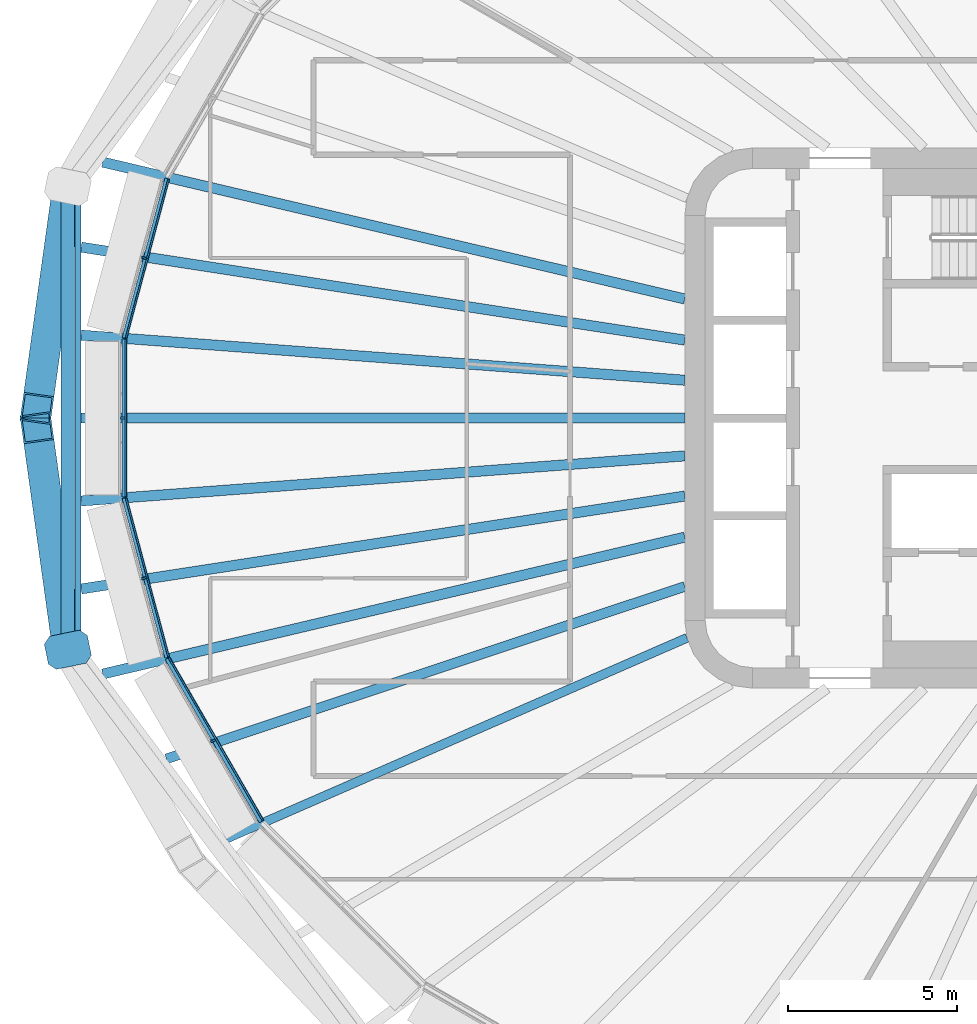
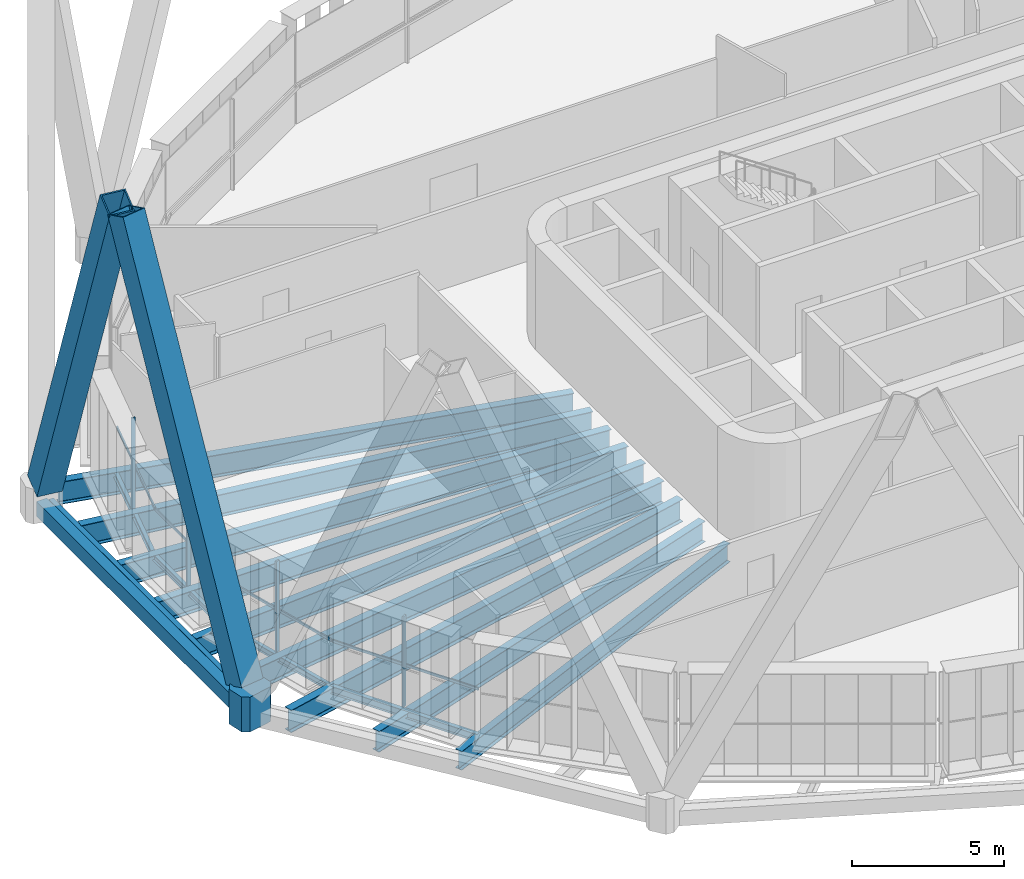
# One storey, part 3 of 26: 15 beams, 11 members, 4 elements without a shape of their own.
"""IFC4 building model written with IfcOpenShell, lengths in metres."""

from ifc_helpers import new_model, si_unit, direction, frame, origin, origin_2d, place, context, subcontext, project, spatial, polyline, rectangle, hollow_rectangle, i_section, outline, extrude, material, layer, layer_set, material_profile, profile_set, type_object, element, aggregate, save


model = new_model("IFC4")

# Units and contexts
model_context = context("Model", 3, precision=1e-05, world=origin(), true_north=direction((0.0, 1.0)))
body_context = subcontext(model_context, "Body", "Model", "MODEL_VIEW")
ifc_project = project(units=[si_unit("LENGTHUNIT", "METRE"), si_unit("AREAUNIT", "SQUARE_METRE"), si_unit("VOLUMEUNIT", "CUBIC_METRE"), si_unit("PLANEANGLEUNIT", "RADIAN"), si_unit("MASSUNIT", "GRAM", prefix="KILO")], contexts=[model_context])

# Site, building, storey
site_placement = place(None, origin())
site = spatial("IfcSite", under=ifc_project, at=site_placement, CompositionType="ELEMENT")
building_placement = place(site_placement, origin())
building = spatial("IfcBuilding", under=site, at=building_placement, Name="Sahrelin Media Tower", CompositionType="ELEMENT")
storey_placement = place(building_placement, frame((0.0, 0.0, 131.39990234375)))
storey = spatial("IfcBuildingStorey", under=building, at=storey_placement, Name="L26", CompositionType="ELEMENT", Elevation=131.39990234375)

# Members
ifc_material_1 = material(Name="Steel S460", Category="steel")
ifc_material_profile_1 = material_profile(ifc_material_1, hollow_rectangle(XDim=0.89990234375, YDim=0.89990234375, WallThickness=0.050048828125, at=origin_2d()), Name="Diagrid diagonal DG3")
ifc_profile_set_1 = profile_set([ifc_material_profile_1], Name="Steel S460")
member_type_1 = type_object("IfcMemberType", Name="Diagrid diagonal DG3", PredefinedType="BRACE", material=ifc_profile_set_1)
for number, where, z_axis, x_axis, name in (
    (1, (-33.314208984375, 6.57666015625, 0.7001953125), (-0.052511992793, -0.377637878396, 0.924463154168), (0.99046999965, -0.137728645506, 0.0), "Diagrid diagonal D05-11"),
    (2, (-33.314208984375, -6.57666015625, 0.7001953125), (-0.052511992793, 0.377637878396, 0.924463154168), (-0.99046999965, -0.137728645506, 0.0), "Diagrid diagonal D05-12"),
):
    element("IfcMember", number, at=place(storey_placement, frame(where, z_axis=z_axis, x_axis=x_axis)), inside=storey, type_object=member_type_1, Name=name, PredefinedType="BRACE", context=body_context, shape_type="SweptSolid", body=[
        extrude(hollow_rectangle(XDim=0.89990234375, YDim=0.89990234375, WallThickness=0.050048828125, at=origin_2d()), origin(), (0.0, 0.0, 1.0), 16.658203125),
    ])
ifc_material_profile_2 = material_profile(ifc_material_1, outline(polyline([(0.449951171875, -0.5), (0.64990234375, -0.300048828125), (0.64990234375, 0.300048828125), (0.449951171875, 0.5), (-0.449951171875, 0.5), (-0.64990234375, 0.300048828125), (-0.64990234375, -0.300048828125), (-0.449951171875, -0.5), (0.449951171875, -0.5)])), Name="Diagrid node block 1300")
ifc_profile_set_2 = profile_set([ifc_material_profile_2], Name="Steel S460")
member_type_2 = type_object("IfcMemberType", Name="Diagrid node block 1300", PredefinedType="USERDEFINED", material=ifc_profile_set_2)
member_1_placement = place(storey_placement, frame((-33.2744140625, -6.862548828125, -0.699951171875), z_axis=(0.0, 0.0, 1.0), x_axis=(-0.979387770926, -0.201989094163, 0.0)))
element("IfcMember", 3, at=member_1_placement, inside=storey, type_object=member_type_2, Name="Diagrid node N05-06", ObjectType="NODE", PredefinedType="USERDEFINED", context=body_context, shape_type="SweptSolid", body=[
    extrude(outline(polyline([(0.449951171875, -0.5), (0.64990234375, -0.300048828125), (0.64990234375, 0.300048828125), (0.449951171875, 0.5), (-0.449951171875, 0.5), (-0.64990234375, 0.300048828125), (-0.64990234375, -0.300048828125), (-0.449951171875, -0.5), (0.449951171875, -0.5)])), origin(), (0.0, 0.0, 1.0), 1.400146484375),
])

# Beams
ifc_material_profile_3 = material_profile(ifc_material_1, hollow_rectangle(XDim=0.39990234375, YDim=0.60009765625, WallThickness=0.030029296875, at=origin_2d()), Name="Diagrid ring beam RB1")
ifc_profile_set_3 = profile_set([ifc_material_profile_3], Name="Steel S460")
beam_type_1 = type_object("IfcBeamType", Name="Diagrid ring beam RB1", PredefinedType="BEAM", material=ifc_profile_set_3)
beam_1_placement = place(storey_placement, frame((-33.2744140625, 6.862548828125, -0.449951171875), z_axis=(0.0, -1.0, 0.0), x_axis=(1.0, 0.0, 0.0)))
element("IfcBeam", 4, at=beam_1_placement, inside=storey, type_object=beam_type_1, Name="Diagrid ring beam RB05-05", PredefinedType="BEAM", context=body_context, shape_type="SweptSolid", body=[
    extrude(hollow_rectangle(XDim=0.39990234375, YDim=0.60009765625, WallThickness=0.030029296875, at=origin_2d()), origin(), (0.0, 0.0, 1.0), 13.72509765625),
])
ifc_material_2 = material(Name="Steel S355", Category="steel")
ifc_material_profile_4 = material_profile(ifc_material_2, i_section(OverallWidth=0.14599609375, OverallDepth=0.25146484375, WebThickness=0.006103515625, FlangeThickness=0.008544921875, FilletRadius=0.007568359375, at=origin_2d()), Name="UB 254x146x31")
ifc_profile_set_4 = profile_set([ifc_material_profile_4], Name="Steel S355")
beam_type_2 = type_object("IfcBeamType", Name="Edge beam EB1", PredefinedType="BEAM", material=ifc_profile_set_4)
beam_2_placement = place(storey_placement, frame((-30.3291015625, -7.09228515625, -0.275634765625), z_axis=(-0.258820885575, 0.965925333134, 0.0), x_axis=(-0.965925333134, -0.258820885575, 0.0)))
element("IfcBeam", 5, at=beam_2_placement, inside=storey, type_object=beam_type_2, Name="Edge beam L26-12", PredefinedType="BEAM", context=body_context, shape_type="SweptSolid", body=[
    extrude(i_section(OverallWidth=0.14599609375, OverallDepth=0.25146484375, WebThickness=0.006103515625, FlangeThickness=0.008544921875, FilletRadius=0.007568359375, at=origin_2d()), origin(), (0.0, 0.0, 1.0), 4.892822265625),
])
beam_3_placement = place(storey_placement, frame((-31.599365234375, -2.337646484375, -0.275634765625), z_axis=(0.0, 1.0, 0.0), x_axis=(-1.0, 0.0, 0.0)))
element("IfcBeam", 6, at=beam_3_placement, inside=storey, type_object=beam_type_2, Name="Edge beam L26-13", PredefinedType="BEAM", context=body_context, shape_type="SweptSolid", body=[
    extrude(i_section(OverallWidth=0.14599609375, OverallDepth=0.25146484375, WebThickness=0.006103515625, FlangeThickness=0.008544921875, FilletRadius=0.007568359375, at=origin_2d()), origin(), (0.0, 0.0, 1.0), 4.67529296875),
])
beam_4_placement = place(storey_placement, frame((-31.595458984375, 2.3662109375, -0.275634765625), z_axis=(0.258820885575, 0.965925333134, 0.0), x_axis=(-0.965925333134, 0.258820885575, 0.0)))
element("IfcBeam", 7, at=beam_4_placement, inside=storey, type_object=beam_type_2, Name="Edge beam L26-14", PredefinedType="BEAM", context=body_context, shape_type="SweptSolid", body=[
    extrude(i_section(OverallWidth=0.14599609375, OverallDepth=0.25146484375, WebThickness=0.006103515625, FlangeThickness=0.008544921875, FilletRadius=0.007568359375, at=origin_2d()), origin(), (0.0, 0.0, 1.0), 4.892822265625),
])
ifc_material_profile_5 = material_profile(ifc_material_2, i_section(OverallWidth=0.1650390625, OverallDepth=0.303466796875, WebThickness=0.006103515625, FlangeThickness=0.01025390625, FilletRadius=0.0087890625, at=origin_2d()), Name="UB 305x165x40")
ifc_profile_set_5 = profile_set([ifc_material_profile_5], Name="Steel S355")
beam_type_3 = type_object("IfcBeamType", Name="Edge beam EB2", PredefinedType="BEAM", material=ifc_profile_set_5)
beam_5_placement = place(storey_placement, frame((-27.52978515625, -11.9482421875, -0.301513671875), z_axis=(-0.500014261081, 0.866017169989, 0.0), x_axis=(-0.866017169989, -0.500014261081, 0.0)))
element("IfcBeam", 8, at=beam_5_placement, inside=storey, type_object=beam_type_3, Name="Edge beam L26-11", PredefinedType="BEAM", context=body_context, shape_type="SweptSolid", body=[
    extrude(i_section(OverallWidth=0.1650390625, OverallDepth=0.303466796875, WebThickness=0.006103515625, FlangeThickness=0.01025390625, FilletRadius=0.0087890625, at=origin_2d()), origin(), (0.0, 0.0, 1.0), 5.576416015625),
])

# Curtain wall, member
ifc_material_3 = material(Name="Champagne anodised aluminium 6063-T6", Category="aluminium")
ifc_layer = layer(ifc_material_3, 0.14990234375)
ifc_layer_set = layer_set([ifc_layer], Name="Tower ribbon curtain wall")
curtain_wall_type = type_object("IfcCurtainWallType", Name="Tower ribbon curtain wall", PredefinedType="NOTDEFINED", material=ifc_layer_set)
curtain_wall_1_placement = place(storey_placement, frame((-31.107421875, 4.76806640625, 0.0), z_axis=(0.0, 0.0, 1.0), x_axis=(1.0, 0.0, 0.0)))
curtain_wall_1 = element("IfcCurtainWall", 9, at=curtain_wall_1_placement, inside=storey, type_object=curtain_wall_type, Name="L26:CW:L26-11", PredefinedType="NOTDEFINED")
ifc_material_profile_6 = material_profile(ifc_material_3, rectangle(XDim=0.06005859375, YDim=0.14990234375, at=origin_2d()), Name="Mullion 60x150")
ifc_profile_set_6 = profile_set([ifc_material_profile_6], Name="Champagne anodised aluminium 6063-T6")
member_type_3 = type_object("IfcMemberType", Name="Mullion 60x150 CW1", PredefinedType="MULLION", material=ifc_profile_set_6)
member_2_placement = place(storey_placement, frame((-31.015380859375, 4.743408203125, 0.0), z_axis=(0.0, 0.0, 1.0), x_axis=(-0.258820730961, -0.965925374563, 0.0)))
member_2 = element("IfcMember", 10, at=member_2_placement, type_object=member_type_3, Name="L26:CWM:L26-11", PredefinedType="MULLION", context=body_context, shape_type="SweptSolid", body=[
    extrude(rectangle(XDim=0.06005859375, YDim=0.14990234375, at=origin_2d()), origin(), (0.0, 0.0, 1.0), 3.648681640625),
])

curtain_wall_2_placement = place(storey_placement, frame((-31.749267578125, 0.0, 0.0), z_axis=(0.0, 0.0, 1.0), x_axis=(1.0, 0.0, 0.0)))
curtain_wall_2 = element("IfcCurtainWall", 11, at=curtain_wall_2_placement, inside=storey, type_object=curtain_wall_type, Name="L26:CW:L26-12", PredefinedType="NOTDEFINED")
member_3_placement = place(storey_placement, frame((-31.654296875, 0.0, 0.0), z_axis=(0.0, 0.0, 1.0), x_axis=(0.0, -1.0, 0.0)))
member_3 = element("IfcMember", 12, at=member_3_placement, type_object=member_type_3, Name="L26:CWM:L26-12", PredefinedType="MULLION", context=body_context, shape_type="SweptSolid", body=[
    extrude(rectangle(XDim=0.06005859375, YDim=0.14990234375, at=origin_2d()), origin(), (0.0, 0.0, 1.0), 3.648681640625),
])

curtain_wall_3_placement = place(storey_placement, frame((-31.107421875, -4.76806640625, 0.0), z_axis=(0.0, 0.0, 1.0), x_axis=(1.0, 0.0, 0.0)))
curtain_wall_3 = element("IfcCurtainWall", 13, at=curtain_wall_3_placement, inside=storey, type_object=curtain_wall_type, Name="L26:CW:L26-13", PredefinedType="NOTDEFINED")
member_4_placement = place(storey_placement, frame((-31.015380859375, -4.743408203125, 0.0), z_axis=(0.0, 0.0, 1.0), x_axis=(0.258820730961, -0.965925374563, 0.0)))
member_4 = element("IfcMember", 14, at=member_4_placement, type_object=member_type_3, Name="L26:CWM:L26-13", PredefinedType="MULLION", context=body_context, shape_type="SweptSolid", body=[
    extrude(rectangle(XDim=0.06005859375, YDim=0.14990234375, at=origin_2d()), origin(), (0.0, 0.0, 1.0), 3.648681640625),
])

curtain_wall_4_placement = place(storey_placement, frame((-29.053955078125, -9.608642578125, 0.0), z_axis=(0.0, 0.0, 1.0), x_axis=(1.0, 0.0, 0.0)))
curtain_wall_4 = element("IfcCurtainWall", 15, at=curtain_wall_4_placement, inside=storey, type_object=curtain_wall_type, Name="L26:CW:L26-14", PredefinedType="NOTDEFINED")
member_5_placement = place(storey_placement, frame((-28.9716796875, -9.56103515625, 0.0), z_axis=(0.0, 0.0, 1.0), x_axis=(0.500006045986, -0.866021913105, 0.0)))
member_5 = element("IfcMember", 16, at=member_5_placement, type_object=member_type_3, Name="L26:CWM:L26-14", PredefinedType="MULLION", context=body_context, shape_type="SweptSolid", body=[
    extrude(rectangle(XDim=0.06005859375, YDim=0.14990234375, at=origin_2d()), origin(), (0.0, 0.0, 1.0), 3.648681640625),
])

# Beams
ifc_material_profile_7 = material_profile(ifc_material_2, i_section(OverallWidth=0.30322265625, OverallDepth=0.903076171875, WebThickness=0.01513671875, FlangeThickness=0.020263671875, FilletRadius=0.01904296875, at=origin_2d()), Name="UB 914x305x201")
ifc_profile_set_7 = profile_set([ifc_material_profile_7], Name="Steel S355")
beam_type_4 = type_object("IfcBeamType", Name="Radial primary beam PB11", PredefinedType="BEAM", material=ifc_profile_set_7)
beam_6_placement = place(storey_placement, frame((-15.0, 3.52734375, -0.601318359375), z_axis=(-0.973444098536, 0.228924850169, 0.0), x_axis=(-0.228924850169, -0.973444098536, 0.0)))
element("IfcBeam", 17, at=beam_6_placement, inside=storey, type_object=beam_type_4, Name="Radial beam L26-11", PredefinedType="BEAM", context=body_context, shape_type="SweptSolid", body=[
    extrude(i_section(OverallWidth=0.30322265625, OverallDepth=0.903076171875, WebThickness=0.01513671875, FlangeThickness=0.020263671875, FilletRadius=0.01904296875, at=origin_2d()), origin(), (0.0, 0.0, 1.0), 17.710693359375),
])
for number, where, z_axis, x_axis, name in (
    (18, (-15.0, 1.12060546875, -0.601318359375), (-0.997221001276, 0.074500165201, 0.0), (-0.074500165201, -0.997221001276, 0.0), "Radial beam L26-12"),
    (19, (-15.0, -1.12060546875, -0.601318359375), (-0.997221001276, -0.074500165201, 0.0), (0.074500165201, -0.997221001276, 0.0), "Radial beam L26-13"),
):
    element("IfcBeam", number, at=place(storey_placement, frame(where, z_axis=z_axis, x_axis=x_axis)), inside=storey, type_object=beam_type_4, Name=name, PredefinedType="BEAM", context=body_context, shape_type="SweptSolid", body=[
        extrude(i_section(OverallWidth=0.30322265625, OverallDepth=0.903076171875, WebThickness=0.01513671875, FlangeThickness=0.020263671875, FilletRadius=0.01904296875, at=origin_2d()), origin(), (0.0, 0.0, 1.0), 17.9287109375),
    ])
beam_7_placement = place(storey_placement, frame((-15.0, -3.52734375, -0.601318359375), z_axis=(-0.973444098536, -0.228924850169, 0.0), x_axis=(0.228924850169, -0.973444098536, 0.0)))
element("IfcBeam", 20, at=beam_7_placement, inside=storey, type_object=beam_type_4, Name="Radial beam L26-14", PredefinedType="BEAM", context=body_context, shape_type="SweptSolid", body=[
    extrude(i_section(OverallWidth=0.30322265625, OverallDepth=0.903076171875, WebThickness=0.01513671875, FlangeThickness=0.020263671875, FilletRadius=0.01904296875, at=origin_2d()), origin(), (0.0, 0.0, 1.0), 17.710693359375),
])
ifc_material_profile_8 = material_profile(ifc_material_2, i_section(OverallWidth=0.26513671875, OverallDepth=0.75390625, WebThickness=0.0126953125, FlangeThickness=0.017578125, FilletRadius=0.0166015625, at=origin_2d()), Name="UB 762x267x147")
ifc_profile_set_8 = profile_set([ifc_material_profile_8], Name="Steel S355")
beam_type_5 = type_object("IfcBeamType", Name="Radial primary beam PB9", PredefinedType="BEAM", material=ifc_profile_set_8)
beam_8_placement = place(storey_placement, frame((-14.932861328125, -6.510986328125, -0.52685546875), z_axis=(-0.916643283171, -0.399706256414, 0.0), x_axis=(0.399706256414, -0.916643283171, 0.0)))
element("IfcBeam", 21, at=beam_8_placement, inside=storey, type_object=beam_type_5, Name="Radial beam L26-15", PredefinedType="BEAM", context=body_context, shape_type="SweptSolid", body=[
    extrude(i_section(OverallWidth=0.26513671875, OverallDepth=0.75390625, WebThickness=0.0126953125, FlangeThickness=0.017578125, FilletRadius=0.0166015625, at=origin_2d()), origin(), (0.0, 0.0, 1.0), 14.88818359375),
])
ifc_material_profile_9 = material_profile(ifc_material_2, i_section(OverallWidth=0.291748046875, OverallDepth=0.8349609375, WebThickness=0.013916015625, FlangeThickness=0.018798828125, FilletRadius=0.017822265625, at=origin_2d()), Name="UB 838x292x176")
ifc_profile_set_9 = profile_set([ifc_material_profile_9], Name="Steel S355")
beam_type_6 = type_object("IfcBeamType", Name="Radial secondary beam SB10", PredefinedType="BEAM", material=ifc_profile_set_9)
beam_9_placement = place(storey_placement, frame((-15.0, -4.98876953125, -0.5673828125), z_axis=(-0.948898825234, -0.315580448491, 0.0), x_axis=(0.315580448491, -0.948898825234, 0.0)))
element("IfcBeam", 22, at=beam_9_placement, inside=storey, type_object=beam_type_6, Name="Secondary beam L26-14", PredefinedType="BEAM", context=body_context, shape_type="SweptSolid", body=[
    extrude(i_section(OverallWidth=0.291748046875, OverallDepth=0.8349609375, WebThickness=0.013916015625, FlangeThickness=0.018798828125, FilletRadius=0.017822265625, at=origin_2d()), origin(), (0.0, 0.0, 1.0), 16.181884765625),
])
ifc_material_profile_10 = material_profile(ifc_material_2, i_section(OverallWidth=0.30322265625, OverallDepth=0.903076171875, WebThickness=0.01513671875, FlangeThickness=0.020263671875, FilletRadius=0.01904296875, at=origin_2d()), Name="UB 914x305x201")
ifc_profile_set_10 = profile_set([ifc_material_profile_10], Name="Steel S355")
beam_type_7 = type_object("IfcBeamType", Name="Radial secondary beam SB11", PredefinedType="BEAM", material=ifc_profile_set_10)
beam_10_placement = place(storey_placement, frame((-15.0, 2.3095703125, -0.601318359375), z_axis=(-0.988354372405, 0.152169755692, 0.0), x_axis=(-0.152169755692, -0.988354372405, 0.0)))
element("IfcBeam", 23, at=beam_10_placement, inside=storey, type_object=beam_type_7, Name="Secondary beam L26-11", PredefinedType="BEAM", context=body_context, shape_type="SweptSolid", body=[
    extrude(i_section(OverallWidth=0.30322265625, OverallDepth=0.903076171875, WebThickness=0.01513671875, FlangeThickness=0.020263671875, FilletRadius=0.01904296875, at=origin_2d()), origin(), (0.0, 0.0, 1.0), 18.089599609375),
])
beam_11_placement = place(storey_placement, frame((-15.0, 0.0, -0.601318359375), z_axis=(-1.0, 0.0, 0.0), x_axis=(0.0, -1.0, 0.0)))
element("IfcBeam", 24, at=beam_11_placement, inside=storey, type_object=beam_type_7, Name="Secondary beam L26-12", PredefinedType="BEAM", context=body_context, shape_type="SweptSolid", body=[
    extrude(i_section(OverallWidth=0.30322265625, OverallDepth=0.903076171875, WebThickness=0.01513671875, FlangeThickness=0.020263671875, FilletRadius=0.01904296875, at=origin_2d()), origin(), (0.0, 0.0, 1.0), 17.87890625),
])
beam_12_placement = place(storey_placement, frame((-15.0, -2.3095703125, -0.601318359375), z_axis=(-0.988354372405, -0.152169755692, 0.0), x_axis=(0.152169755692, -0.988354372405, 0.0)))
element("IfcBeam", 25, at=beam_12_placement, inside=storey, type_object=beam_type_7, Name="Secondary beam L26-13", PredefinedType="BEAM", context=body_context, shape_type="SweptSolid", body=[
    extrude(i_section(OverallWidth=0.30322265625, OverallDepth=0.903076171875, WebThickness=0.01513671875, FlangeThickness=0.020263671875, FilletRadius=0.01904296875, at=origin_2d()), origin(), (0.0, 0.0, 1.0), 18.089599609375),
])
ifc_material_profile_11 = material_profile(ifc_material_2, i_section(OverallWidth=0.1904296875, OverallDepth=0.45703125, WebThickness=0.009033203125, FlangeThickness=0.014404296875, FilletRadius=0.01025390625, at=origin_2d()), Name="UB 457x191x74")
ifc_profile_set_11 = profile_set([ifc_material_profile_11], Name="Steel S355")
beam_type_8 = type_object("IfcBeamType", Name="Tie chord TC5", PredefinedType="BEAM", material=ifc_profile_set_11)
beam_13_placement = place(storey_placement, frame((-32.97412109375, -6.762451171875, -0.37841796875), z_axis=(0.0, 1.0, 0.0), x_axis=(-1.0, 0.0, 0.0)))
element("IfcBeam", 26, at=beam_13_placement, inside=storey, type_object=beam_type_8, Name="Tie chord L26-07", PredefinedType="BEAM", context=body_context, shape_type="SweptSolid", body=[
    extrude(i_section(OverallWidth=0.1904296875, OverallDepth=0.45703125, WebThickness=0.009033203125, FlangeThickness=0.014404296875, FilletRadius=0.01025390625, at=origin_2d()), origin(), (0.0, 0.0, 1.0), 13.52490234375),
])

# Member
ifc_material_profile_12 = material_profile(ifc_material_3, rectangle(XDim=0.050048828125, YDim=0.10009765625, at=origin_2d()), Name="Transom 50x100")
ifc_profile_set_12 = profile_set([ifc_material_profile_12], Name="Champagne anodised aluminium 6063-T6")
member_type_4 = type_object("IfcMemberType", Name="Transom 50x100 CW1", PredefinedType="USERDEFINED", material=ifc_profile_set_12)
member_6_placement = place(storey_placement, frame((-30.289794921875, 7.0654296875, 1.60009765625), z_axis=(-0.258831472686, -0.965922496243, 0.0), x_axis=(0.965922496243, -0.258831472686, 0.0)))
member_6 = element("IfcMember", 27, at=member_6_placement, type_object=member_type_4, Name="L26:CWT:L26-11", ObjectType="TRANSOM", PredefinedType="USERDEFINED", context=body_context, shape_type="SweptSolid", body=[
    extrude(rectangle(XDim=0.050048828125, YDim=0.10009765625, at=origin_2d()), origin(), (0.0, 0.0, 1.0), 4.861572265625),
])

aggregate(curtain_wall_1, [member_2, member_6])

member_7_placement = place(storey_placement, frame((-31.55419921875, 2.322021484375, 1.60009765625), z_axis=(0.0, -1.0, 0.0), x_axis=(1.0, 0.0, 0.0)))
member_7 = element("IfcMember", 28, at=member_7_placement, type_object=member_type_4, Name="L26:CWT:L26-12", ObjectType="TRANSOM", PredefinedType="USERDEFINED", context=body_context, shape_type="SweptSolid", body=[
    extrude(rectangle(XDim=0.050048828125, YDim=0.10009765625, at=origin_2d()), origin(), (0.0, 0.0, 1.0), 4.64404296875),
])

aggregate(curtain_wall_2, [member_3, member_7])

member_8_placement = place(storey_placement, frame((-31.548095703125, -2.36962890625, 1.60009765625), z_axis=(0.258831472686, -0.965922496243, 0.0), x_axis=(0.965922496243, 0.258831472686, 0.0)))
member_8 = element("IfcMember", 29, at=member_8_placement, type_object=member_type_4, Name="L26:CWT:L26-13", ObjectType="TRANSOM", PredefinedType="USERDEFINED", context=body_context, shape_type="SweptSolid", body=[
    extrude(rectangle(XDim=0.050048828125, YDim=0.10009765625, at=origin_2d()), origin(), (0.0, 0.0, 1.0), 4.861572265625),
])

aggregate(curtain_wall_3, [member_4, member_8])

member_9_placement = place(storey_placement, frame((-30.271240234375, -7.110107421875, 1.60009765625), z_axis=(0.500003221507, -0.866023543838, 0.0), x_axis=(0.866023543838, 0.500003221507, 0.0)))
member_9 = element("IfcMember", 30, at=member_9_placement, type_object=member_type_4, Name="L26:CWT:L26-14", ObjectType="TRANSOM", PredefinedType="USERDEFINED", context=body_context, shape_type="SweptSolid", body=[
    extrude(rectangle(XDim=0.050048828125, YDim=0.10009765625, at=origin_2d()), origin(), (0.0, 0.0, 1.0), 5.544921875),
])

aggregate(curtain_wall_4, [member_5, member_9])

save(model, "model.ifc")
